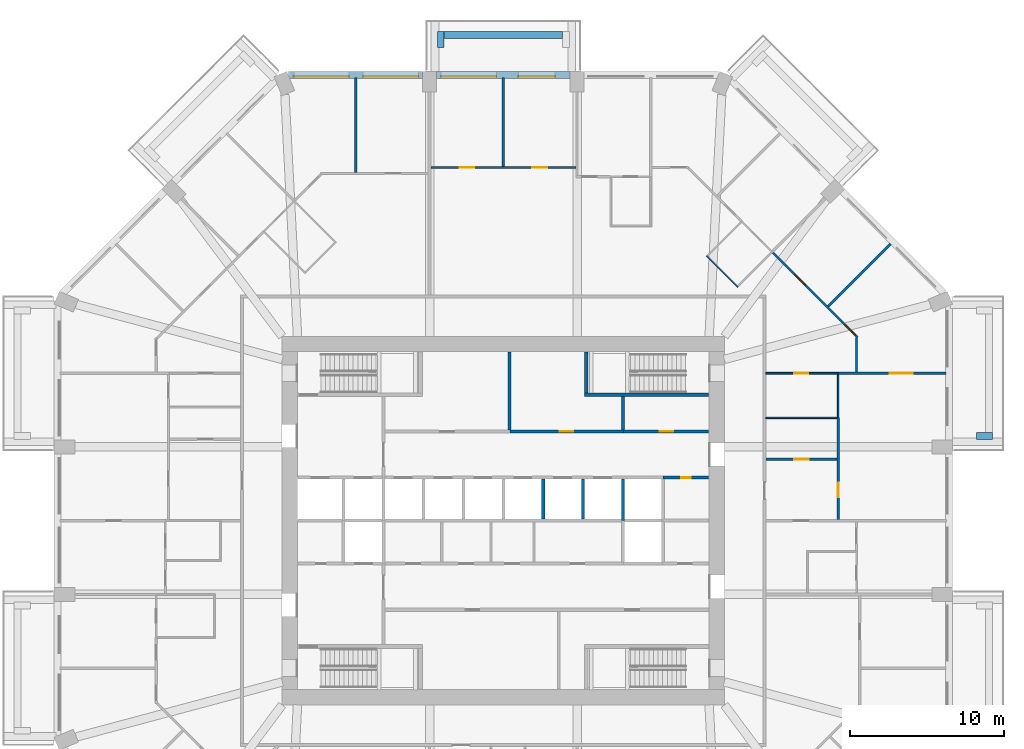
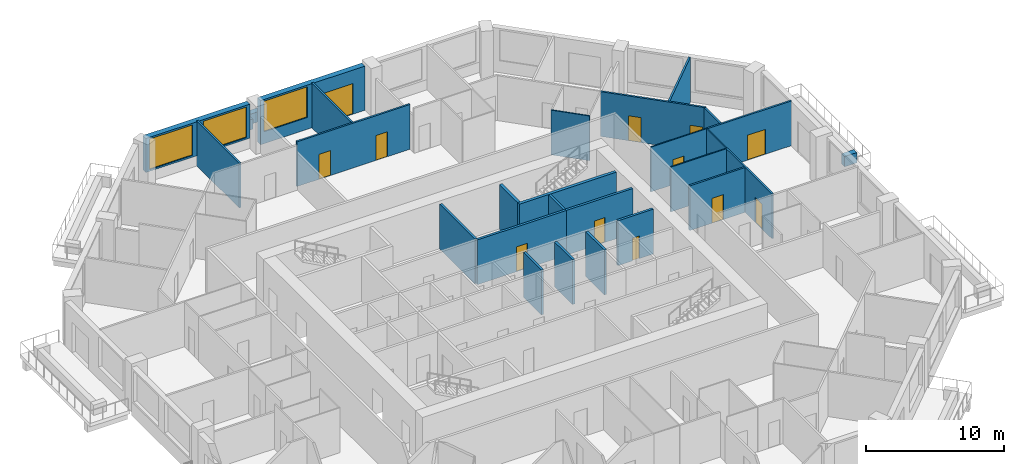
# One storey, part 9 of 13: 28 walls, 12 doors, 3 windows, 15 openings.
"""IFC4 building model written with IfcOpenShell, lengths in metres."""

from ifc_helpers import new_model, si_unit, direction, frame, frame_2d, origin, place, context, subcontext, project, spatial, rectangle, extrude, material, layer, layer_set, type_object, element, fill, save


model = new_model("IFC4")

# Units and contexts
model_context = context("Model", 3, precision=1e-05, world=origin(), true_north=direction((0.0, 1.0)))
body_context = subcontext(model_context, "Body", "Model", "MODEL_VIEW")
ifc_project = project(units=[si_unit("LENGTHUNIT", "METRE"), si_unit("AREAUNIT", "SQUARE_METRE"), si_unit("VOLUMEUNIT", "CUBIC_METRE"), si_unit("PLANEANGLEUNIT", "RADIAN"), si_unit("MASSUNIT", "GRAM", prefix="KILO")], contexts=[model_context])

# Site, building, storey
site_placement = place(None, origin())
site = spatial("IfcSite", under=ifc_project, at=site_placement, CompositionType="ELEMENT")
building_placement = place(site_placement, origin())
building = spatial("IfcBuilding", under=site, at=building_placement, Name="Msitu Wima Residences", CompositionType="ELEMENT")
storey_placement = place(building_placement, frame((0.0, 0.0, 67.5)))
storey = spatial("IfcBuildingStorey", under=building, at=storey_placement, Name="L15", CompositionType="ELEMENT", Elevation=67.5)

# Walls
ifc_material_1 = material(Name="Facing brick")
ifc_layer_1 = layer(ifc_material_1, 0.06494140625, Name="Facing brick")
ifc_material_2 = material(Name="Concrete C40/50", Category="concrete")
ifc_layer_2 = layer(ifc_material_2, 0.156005859375, Name="Concrete C40/50")
ifc_material_3 = material(Name="Waterproofing membrane")
ifc_layer_3 = layer(ifc_material_3, 0.00390625, Name="Waterproofing membrane")
ifc_material_4 = material(Name="Planting soil and planting")
ifc_layer_4 = layer(ifc_material_4, 0.22509765625, Name="Planting soil and planting")
ifc_layer_set_1 = layer_set([ifc_layer_1, ifc_layer_2, ifc_layer_3, ifc_layer_4], Name="Concrete C40/50")
wall_type_1 = type_object("IfcWallType", Name="Balcony planter PLANTER PL450", PredefinedType="USERDEFINED", material=ifc_layer_set_1)
wall_1_placement = place(storey_placement, frame((30.800048828125, 5.52490234375, 0.0), z_axis=(0.0, 0.0, 1.0), x_axis=(1.0, 0.0, 0.0)))
element("IfcWall", 1, at=wall_1_placement, inside=storey, type_object=wall_type_1, Name="Balcony planter E2 L15", ObjectType="PLANTER", PredefinedType="USERDEFINED", context=body_context, shape_type="SweptSolid", body=[
    extrude(rectangle(XDim=1.050048828125, YDim=0.449951171875, at=frame_2d((0.52490234375, 0.0))), origin(), (0.0, 0.0, 1.0), 0.89990234375),
])
wall_2_placement = place(storey_placement, frame((3.85009765625, 31.625, 0.0), z_axis=(0.0, 0.0, 1.0), x_axis=(-1.0, 0.0, 0.0)))
element("IfcWall", 2, at=wall_2_placement, inside=storey, type_object=wall_type_1, Name="Balcony planter N1 L15", ObjectType="PLANTER", PredefinedType="USERDEFINED", context=body_context, shape_type="SweptSolid", body=[
    extrude(rectangle(XDim=7.7001953125, YDim=0.449951171875, at=frame_2d((3.85009765625, 0.0))), origin(), (0.0, 0.0, 1.0), 0.89990234375),
])
wall_3_placement = place(storey_placement, frame((-4.074951171875, 30.800048828125, 0.0), z_axis=(0.0, 0.0, 1.0), x_axis=(0.0, 1.0, 0.0)))
element("IfcWall", 3, at=wall_3_placement, inside=storey, type_object=wall_type_1, Name="Balcony planter N1 L15", ObjectType="PLANTER", PredefinedType="USERDEFINED", context=body_context, shape_type="SweptSolid", body=[
    extrude(rectangle(XDim=1.050048828125, YDim=0.449951171875, at=frame_2d((0.52490234375, 0.0))), origin(), (0.0, 0.0, 1.0), 0.89990234375),
])

# Wall, openings, door, window
ifc_material_5 = material(Name="Brick (red buff mix)", Category="masonry")
ifc_layer_5 = layer(ifc_material_5, 0.449951171875)
ifc_layer_set_2 = layer_set([ifc_layer_5], Name="Brick (red buff mix)")
wall_type_2 = type_object("IfcWallType", Name="Brick infill wall BW450", PredefinedType="SOLIDWALL", material=ifc_layer_set_2)
wall_4_placement = place(storey_placement, frame((4.35009765625, 29.02490234375, 0.0), z_axis=(0.0, 0.0, 1.0), x_axis=(-1.0, 0.0, 0.0)))
wall_4 = element("IfcWall", 4, at=wall_4_placement, inside=storey, type_object=wall_type_2, Name="Brick infill wall L15 N1", PredefinedType="SOLIDWALL", context=body_context, shape_type="SweptSolid", body=[
    extrude(rectangle(XDim=8.7001953125, YDim=0.449951171875, at=frame_2d((4.35009765625, 0.0))), origin(), (0.0, 0.0, 1.0), 3.89990234375),
])
opening_1_placement = place(wall_4_placement, frame((0.97509765625, 0.0, 0.0)))
opening_1 = element("IfcOpeningElement", 5, at=opening_1_placement, cuts=wall_4, Name="Opening D13-15.003", PredefinedType="OPENING", context=body_context, shape_type="SweptSolid", body=[
    extrude(rectangle(XDim=2.39990234375, YDim=2.699951171875, at=frame_2d((1.199951171875, 1.35009765625))), frame((0.0, 0.23486328125, 0.0), z_axis=(0.0, -1.0, 0.0), x_axis=(1.0, 0.0, 0.0)), (0.0, 0.0, 1.0), 0.469970703125),
])
opening_2_placement = place(wall_4_placement, frame((4.800048828125, 0.0, 1.050048828125)))
opening_2 = element("IfcOpeningElement", 6, at=opening_2_placement, cuts=wall_4, Name="Opening W13-15.007", PredefinedType="OPENING", context=body_context, shape_type="SweptSolid", body=[
    extrude(rectangle(XDim=3.60009765625, YDim=2.699951171875, at=frame_2d((1.800048828125, 1.35009765625))), frame((0.0, 0.23486328125, 0.0), z_axis=(0.0, -1.0, 0.0), x_axis=(1.0, 0.0, 0.0)), (0.0, 0.0, 1.0), 0.469970703125),
])
ifc_material_6 = material(Name="Anodised aluminium, bronze finish, clear low-emissivity double glazing", Category="aluminium")
door_type_1 = type_object("IfcDoorType", Name="Balcony door D2400x2700", OperationType="SLIDING_TO_LEFT", PredefinedType="DOOR", material=ifc_material_6)
door_1_placement = place(opening_1_placement, origin())
door_1 = element("IfcDoor", 7, at=door_1_placement, inside=storey, type_object=door_type_1, Name="Balcony door L15 N1", OperationType="SINGLE_SWING_LEFT", OverallHeight=2.699951171875, OverallWidth=2.39990234375, PredefinedType="DOOR", context=body_context, shape_type="SweptSolid", body=[
    extrude(rectangle(XDim=2.39990234375, YDim=2.699951171875, at=frame_2d((1.199951171875, 1.35009765625))), frame((0.0, 0.1298828125, 0.0), z_axis=(0.0, -1.0, 0.0), x_axis=(1.0, 0.0, 0.0)), (0.0, 0.0, 1.0), 0.050048828125),
])
fill(opening_1, door_1)
window_type = type_object("IfcWindowType", Name="Window W3600x2700", PartitioningType="DOUBLE_PANEL_VERTICAL", PredefinedType="WINDOW", material=ifc_material_6)
window_1_placement = place(opening_2_placement, origin())
window_1 = element("IfcWindow", 8, at=window_1_placement, inside=storey, type_object=window_type, Name="Window L15 N1.2", OverallHeight=2.699951171875, OverallWidth=3.60009765625, PartitioningType="SINGLE_PANEL", PredefinedType="WINDOW", context=body_context, shape_type="SweptSolid", body=[
    extrude(rectangle(XDim=3.60009765625, YDim=2.699951171875, at=frame_2d((1.800048828125, 1.35009765625))), frame((0.0, 0.135009765625, 0.0), z_axis=(0.0, -1.0, 0.0), x_axis=(1.0, 0.0, 0.0)), (0.0, 0.0, 1.0), 0.06005859375),
])
fill(opening_2, window_1)

# Wall, openings, windows
wall_5_placement = place(storey_placement, frame((-5.25, 29.02490234375, 0.89990234375), z_axis=(0.0, 0.0, 1.0), x_axis=(-1.0, 0.0, 0.0)))
wall_5 = element("IfcWall", 9, at=wall_5_placement, inside=storey, type_object=wall_type_2, Name="Brick infill wall L15 N2", PredefinedType="SOLIDWALL", context=body_context, shape_type="SweptSolid", body=[
    extrude(rectangle(XDim=8.662841796875, YDim=0.449951171875, at=frame_2d((4.33154296875, 0.0))), origin(), (0.0, 0.0, 1.0), 3.0),
])
opening_3_placement = place(wall_5_placement, frame((0.281494140625, 0.0, 0.14990234375)))
opening_3 = element("IfcOpeningElement", 10, at=opening_3_placement, cuts=wall_5, Name="Opening W13-15.008", PredefinedType="OPENING", context=body_context, shape_type="SweptSolid", body=[
    extrude(rectangle(XDim=3.60009765625, YDim=2.699951171875, at=frame_2d((1.800048828125, 1.35009765625))), frame((0.0, 0.23486328125, 0.0), z_axis=(0.0, -1.0, 0.0), x_axis=(1.0, 0.0, 0.0)), (0.0, 0.0, 1.0), 0.469970703125),
])
opening_4_placement = place(wall_5_placement, frame((4.781494140625, 0.0, 0.14990234375)))
opening_4 = element("IfcOpeningElement", 11, at=opening_4_placement, cuts=wall_5, Name="Opening W13-15.009", PredefinedType="OPENING", context=body_context, shape_type="SweptSolid", body=[
    extrude(rectangle(XDim=3.60009765625, YDim=2.699951171875, at=frame_2d((1.800048828125, 1.35009765625))), frame((0.0, 0.23486328125, 0.0), z_axis=(0.0, -1.0, 0.0), x_axis=(1.0, 0.0, 0.0)), (0.0, 0.0, 1.0), 0.469970703125),
])
window_2_placement = place(opening_3_placement, origin())
window_2 = element("IfcWindow", 12, at=window_2_placement, inside=storey, type_object=window_type, Name="Window L15 N2.1", OverallHeight=2.699951171875, OverallWidth=3.60009765625, PartitioningType="SINGLE_PANEL", PredefinedType="WINDOW", context=body_context, shape_type="SweptSolid", body=[
    extrude(rectangle(XDim=3.60009765625, YDim=2.699951171875, at=frame_2d((1.800048828125, 1.35009765625))), frame((0.0, 0.135009765625, 0.0), z_axis=(0.0, -1.0, 0.0), x_axis=(1.0, 0.0, 0.0)), (0.0, 0.0, 1.0), 0.06005859375),
])
fill(opening_3, window_2)
window_3_placement = place(opening_4_placement, origin())
window_3 = element("IfcWindow", 13, at=window_3_placement, inside=storey, type_object=window_type, Name="Window L15 N2.2", OverallHeight=2.699951171875, OverallWidth=3.60009765625, PartitioningType="SINGLE_PANEL", PredefinedType="WINDOW", context=body_context, shape_type="SweptSolid", body=[
    extrude(rectangle(XDim=3.60009765625, YDim=2.699951171875, at=frame_2d((1.800048828125, 1.35009765625))), frame((0.0, 0.135009765625, 0.0), z_axis=(0.0, -1.0, 0.0), x_axis=(1.0, 0.0, 0.0)), (0.0, 0.0, 1.0), 0.06005859375),
])
fill(opening_4, window_3)

# Wall, opening, door
ifc_material_7 = material(Name="Plaster")
ifc_layer_6 = layer(ifc_material_7, 0.011962890625, Name="Plaster")
ifc_material_8 = material(Name="Concrete blockwork", Category="masonry")
ifc_layer_7 = layer(ifc_material_8, 0.176025390625, Name="Concrete blockwork")
ifc_layer_8 = layer(ifc_material_7, 0.011962890625, Name="Plaster")
ifc_layer_set_3 = layer_set([ifc_layer_6, ifc_layer_7, ifc_layer_8], Name="Concrete blockwork")
wall_type_3 = type_object("IfcWallType", Name="Corridor wall FW200", PredefinedType="PARTITIONING", material=ifc_layer_set_3)
wall_6_placement = place(storey_placement, frame((7.820068359375, 5.800048828125, 0.0), z_axis=(0.0, 0.0, 1.0), x_axis=(1.0, 0.0, 0.0)))
wall_6 = element("IfcWall", 14, at=wall_6_placement, inside=storey, type_object=wall_type_3, Name="Corridor wall", PredefinedType="PARTITIONING", context=body_context, shape_type="SweptSolid", body=[
    extrude(rectangle(XDim=5.550048828125, YDim=0.199951171875, at=frame_2d((2.77490234375, 0.0))), origin(), (0.0, 0.0, 1.0), 3.949951171875),
])
opening_5_placement = place(wall_6_placement, frame((2.35009765625, 0.0, 0.0)))
opening_5 = element("IfcOpeningElement", 15, at=opening_5_placement, cuts=wall_6, Name="Opening D13-15.021", PredefinedType="OPENING", context=body_context, shape_type="SweptSolid", body=[
    extrude(rectangle(XDim=0.89990234375, YDim=2.199951171875, at=frame_2d((0.449951171875, 1.10009765625))), frame((0.0, 0.10986328125, 0.0), z_axis=(0.0, -1.0, 0.0), x_axis=(1.0, 0.0, 0.0)), (0.0, 0.0, 1.0), 0.219970703125),
])
ifc_material_9 = material(Name="Timber flush door", Category="wood")
door_type_2 = type_object("IfcDoorType", Name="Service door D05 900x2200", OperationType="SINGLE_SWING_LEFT", PredefinedType="DOOR", material=ifc_material_9)
door_2_placement = place(opening_5_placement, origin())
door_2 = element("IfcDoor", 16, at=door_2_placement, inside=storey, type_object=door_type_2, Name="Service door", OperationType="SINGLE_SWING_LEFT", OverallHeight=2.199951171875, OverallWidth=0.89990234375, PredefinedType="DOOR", context=body_context, shape_type="SweptSolid", body=[
    extrude(rectangle(XDim=0.89990234375, YDim=2.199951171875, at=frame_2d((0.449951171875, 1.10009765625))), frame((0.0, 0.02490234375, 0.0), z_axis=(0.0, -1.0, 0.0), x_axis=(1.0, 0.0, 0.0)), (0.0, 0.0, 1.0), 0.050048828125),
])
fill(opening_5, door_2)

# Wall
ifc_layer_9 = layer(ifc_material_7, 0.011962890625, Name="Plaster")
ifc_layer_10 = layer(ifc_material_8, 0.1259765625, Name="Concrete blockwork")
ifc_layer_11 = layer(ifc_material_7, 0.011962890625, Name="Plaster")
ifc_layer_set_4 = layer_set([ifc_layer_9, ifc_layer_10, ifc_layer_11], Name="Concrete blockwork")
wall_type_4 = type_object("IfcWallType", Name="Partition PW150", PredefinedType="PARTITIONING", material=ifc_layer_set_4)
wall_7_placement = place(storey_placement, frame((-9.60009765625, 22.675048828125, 0.0), z_axis=(0.0, 0.0, 1.0), x_axis=(0.0, 1.0, 0.0)))
element("IfcWall", 17, at=wall_7_placement, inside=storey, type_object=wall_type_4, Name="Partition", PredefinedType="PARTITIONING", context=body_context, shape_type="SweptSolid", body=[
    extrude(rectangle(XDim=6.179931640625, YDim=0.14990234375, at=frame_2d((3.08984375, 0.0))), origin(), (0.0, 0.0, 1.0), 3.949951171875),
])

# Wall, openings, doors
wall_8_placement = place(storey_placement, frame((-4.699951171875, 23.0, 0.0), z_axis=(0.0, 0.0, 1.0), x_axis=(1.0, 0.0, 0.0)))
wall_8 = element("IfcWall", 18, at=wall_8_placement, inside=storey, type_object=wall_type_4, Name="Partition", PredefinedType="PARTITIONING", context=body_context, shape_type="SweptSolid", body=[
    extrude(rectangle(XDim=9.425048828125, YDim=0.14990234375, at=frame_2d((4.71240234375, 0.0))), origin(), (0.0, 0.0, 1.0), 3.949951171875),
])
opening_6_placement = place(wall_8_placement, frame((6.60009765625, 0.0, 0.0)))
opening_6 = element("IfcOpeningElement", 19, at=opening_6_placement, cuts=wall_8, Name="Opening D13-15.088", PredefinedType="OPENING", context=body_context, shape_type="SweptSolid", body=[
    extrude(rectangle(XDim=0.949951171875, YDim=2.199951171875, at=frame_2d((0.47509765625, 1.10009765625))), frame((0.0, 0.0849609375, 0.0), z_axis=(0.0, -1.0, 0.0), x_axis=(1.0, 0.0, 0.0)), (0.0, 0.0, 1.0), 0.169921875),
])
opening_7_placement = place(wall_8_placement, frame((1.85009765625, 0.0, 0.0)))
opening_7 = element("IfcOpeningElement", 20, at=opening_7_placement, cuts=wall_8, Name="Opening D13-15.044", PredefinedType="OPENING", context=body_context, shape_type="SweptSolid", body=[
    extrude(rectangle(XDim=0.949951171875, YDim=2.199951171875, at=frame_2d((0.47509765625, 1.10009765625))), frame((0.0, 0.0849609375, 0.0), z_axis=(0.0, -1.0, 0.0), x_axis=(1.0, 0.0, 0.0)), (0.0, 0.0, 1.0), 0.169921875),
])
door_type_3 = type_object("IfcDoorType", Name="Room door D12 950x2200", OperationType="SINGLE_SWING_LEFT", PredefinedType="DOOR", material=ifc_material_9)
door_3_placement = place(opening_6_placement, origin())
door_3 = element("IfcDoor", 21, at=door_3_placement, inside=storey, type_object=door_type_3, Name="Room door", OperationType="SINGLE_SWING_LEFT", OverallHeight=2.199951171875, OverallWidth=0.949951171875, PredefinedType="DOOR", context=body_context, shape_type="SweptSolid", body=[
    extrude(rectangle(XDim=0.949951171875, YDim=2.199951171875, at=frame_2d((0.47509765625, 1.10009765625))), frame((0.0, 0.02490234375, 0.0), z_axis=(0.0, -1.0, 0.0), x_axis=(1.0, 0.0, 0.0)), (0.0, 0.0, 1.0), 0.050048828125),
])
fill(opening_6, door_3)
door_4_placement = place(opening_7_placement, origin())
door_4 = element("IfcDoor", 22, at=door_4_placement, inside=storey, type_object=door_type_3, Name="Room door", OperationType="SINGLE_SWING_RIGHT", OverallHeight=2.199951171875, OverallWidth=0.949951171875, PredefinedType="DOOR", context=body_context, shape_type="SweptSolid", body=[
    extrude(rectangle(XDim=0.949951171875, YDim=2.199951171875, at=frame_2d((0.47509765625, 1.10009765625))), frame((0.0, 0.02490234375, 0.0), z_axis=(0.0, -1.0, 0.0), x_axis=(1.0, 0.0, 0.0)), (0.0, 0.0, 1.0), 0.050048828125),
])
fill(opening_7, door_4)

# Wall
wall_9_placement = place(storey_placement, frame((0.0, 23.074951171875, 0.0), z_axis=(0.0, 0.0, 1.0), x_axis=(0.0, 1.0, 0.0)))
element("IfcWall", 23, at=wall_9_placement, inside=storey, type_object=wall_type_4, Name="Partition", PredefinedType="PARTITIONING", context=body_context, shape_type="SweptSolid", body=[
    extrude(rectangle(XDim=5.780029296875, YDim=0.14990234375, at=frame_2d((2.89013671875, 0.0))), origin(), (0.0, 0.0, 1.0), 3.949951171875),
])

# Wall, opening, door
wall_10_placement = place(storey_placement, frame((17.10009765625, 4.0, 0.0), z_axis=(0.0, 0.0, 1.0), x_axis=(1.0, 0.0, 0.0)))
wall_10 = element("IfcWall", 24, at=wall_10_placement, inside=storey, type_object=wall_type_4, Name="Partition", PredefinedType="PARTITIONING", context=body_context, shape_type="SweptSolid", body=[
    extrude(rectangle(XDim=4.625, YDim=0.14990234375, at=frame_2d((2.3125, 0.0))), origin(), (0.0, 0.0, 1.0), 3.949951171875),
])
opening_8_placement = place(wall_10_placement, frame((1.85009765625, 0.0, 0.0)))
opening_8 = element("IfcOpeningElement", 25, at=opening_8_placement, cuts=wall_10, Name="Opening D13-15.085", PredefinedType="OPENING", context=body_context, shape_type="SweptSolid", body=[
    extrude(rectangle(XDim=0.949951171875, YDim=2.199951171875, at=frame_2d((0.47509765625, 1.10009765625))), frame((0.0, 0.0849609375, 0.0), z_axis=(0.0, -1.0, 0.0), x_axis=(1.0, 0.0, 0.0)), (0.0, 0.0, 1.0), 0.169921875),
])
door_5_placement = place(opening_8_placement, origin())
door_5 = element("IfcDoor", 26, at=door_5_placement, inside=storey, type_object=door_type_3, Name="Room door", OperationType="SINGLE_SWING_RIGHT", OverallHeight=2.199951171875, OverallWidth=0.949951171875, PredefinedType="DOOR", context=body_context, shape_type="SweptSolid", body=[
    extrude(rectangle(XDim=0.949951171875, YDim=2.199951171875, at=frame_2d((0.47509765625, 1.10009765625))), frame((0.0, 0.02490234375, 0.0), z_axis=(0.0, -1.0, 0.0), x_axis=(1.0, 0.0, 0.0)), (0.0, 0.0, 1.0), 0.050048828125),
])
fill(opening_8, door_5)

# Wall, openings, doors
wall_11_placement = place(storey_placement, frame((17.498779296875, 17.498779296875, 0.0), z_axis=(0.0, 0.0, 1.0), x_axis=(0.707106781187, -0.707106781187, 0.0)))
wall_11 = element("IfcWall", 27, at=wall_11_placement, inside=storey, type_object=wall_type_4, Name="Partition", PredefinedType="PARTITIONING", context=body_context, shape_type="SweptSolid", body=[
    extrude(rectangle(XDim=7.854736328125, YDim=0.14990234375, at=frame_2d((3.92724609375, 0.0))), origin(), (0.0, 0.0, 1.0), 3.949951171875),
])
opening_9_placement = place(wall_11_placement, frame((6.699951171875, 0.0, 0.0)))
opening_9 = element("IfcOpeningElement", 28, at=opening_9_placement, cuts=wall_11, Name="Opening D13-15.086", PredefinedType="OPENING", context=body_context, shape_type="SweptSolid", body=[
    extrude(rectangle(XDim=0.949951171875, YDim=2.199951171875, at=frame_2d((0.47509765625, 1.10009765625))), frame((0.0, 0.0849609375, 0.0), z_axis=(0.0, -1.0, 0.0), x_axis=(1.0, 0.0, 0.0)), (0.0, 0.0, 1.0), 0.169921875),
])
opening_10_placement = place(wall_11_placement, frame((2.10009765625, 0.0, 0.0)))
opening_10 = element("IfcOpeningElement", 29, at=opening_10_placement, cuts=wall_11, Name="Opening D13-15.087", PredefinedType="OPENING", context=body_context, shape_type="SweptSolid", body=[
    extrude(rectangle(XDim=0.949951171875, YDim=2.199951171875, at=frame_2d((0.47509765625, 1.10009765625))), frame((0.0, 0.0849609375, 0.0), z_axis=(0.0, -1.0, 0.0), x_axis=(1.0, 0.0, 0.0)), (0.0, 0.0, 1.0), 0.169921875),
])
door_6_placement = place(opening_9_placement, origin())
door_6 = element("IfcDoor", 30, at=door_6_placement, inside=storey, type_object=door_type_3, Name="Room door", OperationType="SINGLE_SWING_LEFT", OverallHeight=2.199951171875, OverallWidth=0.949951171875, PredefinedType="DOOR", context=body_context, shape_type="SweptSolid", body=[
    extrude(rectangle(XDim=0.949951171875, YDim=2.199951171875, at=frame_2d((0.47509765625, 1.10009765625))), frame((0.0, 0.02490234375, 0.0), z_axis=(0.0, -1.0, 0.0), x_axis=(1.0, 0.0, 0.0)), (0.0, 0.0, 1.0), 0.050048828125),
])
fill(opening_9, door_6)
door_7_placement = place(opening_10_placement, origin())
door_7 = element("IfcDoor", 31, at=door_7_placement, inside=storey, type_object=door_type_3, Name="Room door", OperationType="SINGLE_SWING_RIGHT", OverallHeight=2.199951171875, OverallWidth=0.949951171875, PredefinedType="DOOR", context=body_context, shape_type="SweptSolid", body=[
    extrude(rectangle(XDim=0.949951171875, YDim=2.199951171875, at=frame_2d((0.47509765625, 1.10009765625))), frame((0.0, 0.02490234375, 0.0), z_axis=(0.0, -1.0, 0.0), x_axis=(1.0, 0.0, 0.0)), (0.0, 0.0, 1.0), 0.050048828125),
])
fill(opening_10, door_7)

# Wall
wall_12_placement = place(storey_placement, frame((21.15185546875, 13.951904296875, 0.0), z_axis=(0.0, 0.0, 1.0), x_axis=(0.707128010843, 0.707085550893, 0.0)))
element("IfcWall", 32, at=wall_12_placement, inside=storey, type_object=wall_type_4, Name="Partition", PredefinedType="PARTITIONING", context=body_context, shape_type="SweptSolid", body=[
    extrude(rectangle(XDim=5.75, YDim=0.14990234375, at=frame_2d((2.875, 0.0))), origin(), (0.0, 0.0, 1.0), 3.949951171875),
])

# Wall, opening, door
wall_13_placement = place(storey_placement, frame((21.800048828125, 0.074951171875, 0.0), z_axis=(0.0, 0.0, 1.0), x_axis=(0.0, 1.0, 0.0)))
wall_13 = element("IfcWall", 33, at=wall_13_placement, inside=storey, type_object=wall_type_4, Name="Partition", PredefinedType="PARTITIONING", context=body_context, shape_type="SweptSolid", body=[
    extrude(rectangle(XDim=6.64501953125, YDim=0.14990234375, at=frame_2d((3.322509765625, 0.0))), origin(), (0.0, 0.0, 1.0), 3.949951171875),
])
opening_11_placement = place(wall_13_placement, frame((1.449951171875, 0.0, 0.0)))
opening_11 = element("IfcOpeningElement", 34, at=opening_11_placement, cuts=wall_13, Name="Opening D13-15.049", PredefinedType="OPENING", context=body_context, shape_type="SweptSolid", body=[
    extrude(rectangle(XDim=0.949951171875, YDim=2.199951171875, at=frame_2d((0.47509765625, 1.10009765625))), frame((0.0, 0.0849609375, 0.0), z_axis=(0.0, -1.0, 0.0), x_axis=(1.0, 0.0, 0.0)), (0.0, 0.0, 1.0), 0.169921875),
])
door_8_placement = place(opening_11_placement, origin())
door_8 = element("IfcDoor", 35, at=door_8_placement, inside=storey, type_object=door_type_3, Name="Room door", OperationType="SINGLE_SWING_RIGHT", OverallHeight=2.199951171875, OverallWidth=0.949951171875, PredefinedType="DOOR", context=body_context, shape_type="SweptSolid", body=[
    extrude(rectangle(XDim=0.949951171875, YDim=2.199951171875, at=frame_2d((0.47509765625, 1.10009765625))), frame((0.0, 0.02490234375, 0.0), z_axis=(0.0, -1.0, 0.0), x_axis=(1.0, 0.0, 0.0)), (0.0, 0.0, 1.0), 0.050048828125),
])
fill(opening_11, door_8)

wall_14_placement = place(storey_placement, frame((21.800048828125, 9.60009765625, 0.0), z_axis=(0.0, 0.0, 1.0), x_axis=(1.0, 0.0, 0.0)))
wall_14 = element("IfcWall", 36, at=wall_14_placement, inside=storey, type_object=wall_type_4, Name="Partition", PredefinedType="PARTITIONING", context=body_context, shape_type="SweptSolid", body=[
    extrude(rectangle(XDim=7.02490234375, YDim=0.14990234375, at=frame_2d((3.512451171875, 0.0))), origin(), (0.0, 0.0, 1.0), 3.949951171875),
])
opening_12_placement = place(wall_14_placement, frame((3.35009765625, 0.0, 0.0)))
opening_12 = element("IfcOpeningElement", 37, at=opening_12_placement, cuts=wall_14, Name="Opening D13-15.060", PredefinedType="OPENING", context=body_context, shape_type="SweptSolid", body=[
    extrude(rectangle(XDim=1.5, YDim=2.199951171875, at=frame_2d((0.75, 1.10009765625))), frame((0.0, 0.0849609375, 0.0), z_axis=(0.0, -1.0, 0.0), x_axis=(1.0, 0.0, 0.0)), (0.0, 0.0, 1.0), 0.169921875),
])
ifc_material_10 = material(Name="Timber double door", Category="wood")
door_type_4 = type_object("IfcDoorType", Name="Double door D04 1500x2200", OperationType="DOUBLE_DOOR_SINGLE_SWING", PredefinedType="DOOR", material=ifc_material_10)
door_9_placement = place(opening_12_placement, origin())
door_9 = element("IfcDoor", 38, at=door_9_placement, inside=storey, type_object=door_type_4, Name="Double door", OperationType="DOUBLE_DOOR_SINGLE_SWING", OverallHeight=2.199951171875, OverallWidth=1.5, PredefinedType="DOOR", context=body_context, shape_type="SweptSolid", body=[
    extrude(rectangle(XDim=1.5, YDim=2.199951171875, at=frame_2d((0.75, 1.10009765625))), frame((0.0, 0.02490234375, 0.0), z_axis=(0.0, -1.0, 0.0), x_axis=(1.0, 0.0, 0.0)), (0.0, 0.0, 1.0), 0.050048828125),
])
fill(opening_12, door_9)

# Wall
wall_15_placement = place(storey_placement, frame((23.0, 9.675048828125, 0.0), z_axis=(0.0, 0.0, 1.0), x_axis=(0.0, 1.0, 0.0)))
element("IfcWall", 39, at=wall_15_placement, inside=storey, type_object=wall_type_4, Name="Partition", PredefinedType="PARTITIONING", context=body_context, shape_type="SweptSolid", body=[
    extrude(rectangle(XDim=2.24755859375, YDim=0.14990234375, at=frame_2d((1.123779296875, 0.0))), origin(), (0.0, 0.0, 1.0), 3.949951171875),
])

# Wall, opening, door
ifc_layer_12 = layer(ifc_material_7, 0.011962890625, Name="Plaster")
ifc_material_11 = material(Name="Reinforced concrete blockwork", Category="masonry")
ifc_layer_13 = layer(ifc_material_11, 0.176025390625, Name="Reinforced concrete blockwork")
ifc_layer_14 = layer(ifc_material_7, 0.011962890625, Name="Plaster")
ifc_layer_set_5 = layer_set([ifc_layer_12, ifc_layer_13, ifc_layer_14], Name="Reinforced concrete blockwork")
wall_type_5 = type_object("IfcWallType", Name="Plant and riser wall PL200", PredefinedType="PARTITIONING", material=ifc_layer_set_5)
wall_16_placement = place(storey_placement, frame((0.419921875, 5.800048828125, 0.0), z_axis=(0.0, 0.0, 1.0), x_axis=(1.0, 0.0, 0.0)))
wall_16 = element("IfcWall", 40, at=wall_16_placement, inside=storey, type_object=wall_type_5, Name="Plant and riser wall", PredefinedType="PARTITIONING", context=body_context, shape_type="SweptSolid", body=[
    extrude(rectangle(XDim=7.400146484375, YDim=0.199951171875, at=frame_2d((3.7001953125, 0.0))), origin(), (0.0, 0.0, 1.0), 3.949951171875),
])
opening_13_placement = place(wall_16_placement, frame((3.25, 0.0, 0.0)))
opening_13 = element("IfcOpeningElement", 41, at=opening_13_placement, cuts=wall_16, Name="Opening D13-15.020", PredefinedType="OPENING", context=body_context, shape_type="SweptSolid", body=[
    extrude(rectangle(XDim=0.89990234375, YDim=2.199951171875, at=frame_2d((0.449951171875, 1.10009765625))), frame((0.0, 0.10986328125, 0.0), z_axis=(0.0, -1.0, 0.0), x_axis=(1.0, 0.0, 0.0)), (0.0, 0.0, 1.0), 0.219970703125),
])
door_10_placement = place(opening_13_placement, origin())
door_10 = element("IfcDoor", 42, at=door_10_placement, inside=storey, type_object=door_type_2, Name="Service door", OperationType="SINGLE_SWING_RIGHT", OverallHeight=2.199951171875, OverallWidth=0.89990234375, PredefinedType="DOOR", context=body_context, shape_type="SweptSolid", body=[
    extrude(rectangle(XDim=0.89990234375, YDim=2.199951171875, at=frame_2d((0.449951171875, 1.10009765625))), frame((0.0, 0.02490234375, 0.0), z_axis=(0.0, -1.0, 0.0), x_axis=(1.0, 0.0, 0.0)), (0.0, 0.0, 1.0), 0.050048828125),
])
fill(opening_13, door_10)

# Walls
wall_17_placement = place(storey_placement, frame((0.39990234375, 5.89990234375, 0.0), z_axis=(0.0, 0.0, 1.0), x_axis=(0.0, 1.0, 0.0)))
element("IfcWall", 43, at=wall_17_placement, inside=storey, type_object=wall_type_5, Name="Plant and riser wall", PredefinedType="PARTITIONING", context=body_context, shape_type="SweptSolid", body=[
    extrude(rectangle(XDim=5.070068359375, YDim=0.199951171875, at=frame_2d((2.53515625, 0.0))), origin(), (0.0, 0.0, 1.0), 3.949951171875),
])
wall_18_placement = place(storey_placement, frame((7.800048828125, 5.89990234375, 0.0), z_axis=(0.0, 0.0, 1.0), x_axis=(0.0, 1.0, 0.0)))
element("IfcWall", 44, at=wall_18_placement, inside=storey, type_object=wall_type_5, Name="Plant and riser wall", PredefinedType="PARTITIONING", context=body_context, shape_type="SweptSolid", body=[
    extrude(rectangle(XDim=2.175048828125, YDim=0.199951171875, at=frame_2d((1.08740234375, 0.0))), origin(), (0.0, 0.0, 1.0), 3.949951171875),
])

# Wall, opening, door
wall_19_placement = place(storey_placement, frame((10.39990234375, 2.800048828125, 0.0), z_axis=(0.0, 0.0, 1.0), x_axis=(1.0, 0.0, 0.0)))
wall_19 = element("IfcWall", 45, at=wall_19_placement, inside=storey, type_object=wall_type_5, Name="Plant and riser wall", PredefinedType="PARTITIONING", context=body_context, shape_type="SweptSolid", body=[
    extrude(rectangle(XDim=2.97021484375, YDim=0.199951171875, at=frame_2d((1.485107421875, 0.0))), origin(), (0.0, 0.0, 1.0), 3.949951171875),
])
opening_14_placement = place(wall_19_placement, frame((1.199951171875, 0.0, 0.0)))
opening_14 = element("IfcOpeningElement", 46, at=opening_14_placement, cuts=wall_19, Name="Opening D13-15.026", PredefinedType="OPENING", context=body_context, shape_type="SweptSolid", body=[
    extrude(rectangle(XDim=0.60009765625, YDim=2.0, at=frame_2d((0.300048828125, 1.0))), frame((0.0, 0.10986328125, 0.0), z_axis=(0.0, -1.0, 0.0), x_axis=(1.0, 0.0, 0.0)), (0.0, 0.0, 1.0), 0.219970703125),
])
ifc_material_12 = material(Name="Steel access door, fire resisting", Category="steel")
door_type_5 = type_object("IfcDoorType", Name="Riser access door D08 600x2000", OperationType="SINGLE_SWING_LEFT", PredefinedType="DOOR", material=ifc_material_12)
door_11_placement = place(opening_14_placement, origin())
door_11 = element("IfcDoor", 47, at=door_11_placement, inside=storey, type_object=door_type_5, Name="Riser access door", OperationType="SINGLE_SWING_RIGHT", OverallHeight=2.0, OverallWidth=0.60009765625, PredefinedType="DOOR", context=body_context, shape_type="SweptSolid", body=[
    extrude(rectangle(XDim=0.60009765625, YDim=2.0, at=frame_2d((0.300048828125, 1.0))), frame((0.0, 0.02490234375, 0.0), z_axis=(0.0, -1.0, 0.0), x_axis=(1.0, 0.0, 0.0)), (0.0, 0.0, 1.0), 0.050048828125),
])
fill(opening_14, door_11)

# Walls
ifc_material_13 = material(Name="Fire-rated board")
ifc_layer_15 = layer(ifc_material_13, 0.02490234375, Name="Fire-rated board")
ifc_material_14 = material(Name="Light-gauge stud framing with mineral wool")
ifc_layer_16 = layer(ifc_material_14, 0.14990234375, Name="Light-gauge stud framing with mineral wool")
ifc_layer_17 = layer(ifc_material_13, 0.02490234375, Name="Fire-rated board")
ifc_layer_set_6 = layer_set([ifc_layer_15, ifc_layer_16, ifc_layer_17], Name="Light-gauge stud framing with mineral wool")
wall_type_6 = type_object("IfcWallType", Name="Shaft wall SH200", PredefinedType="PARTITIONING", material=ifc_layer_set_6)
for number, where, z_axis, x_axis, name in (
    (48, (2.60009765625, 0.10009765625, 0.0), (0.0, 0.0, 1.0), (0.0, 1.0, 0.0), "Shaft wall"),
    (49, (5.199951171875, 0.10009765625, 0.0), (0.0, 0.0, 1.0), (0.0, 1.0, 0.0), "Shaft wall"),
):
    element("IfcWall", number, at=place(storey_placement, frame(where, z_axis=z_axis, x_axis=x_axis)), inside=storey, type_object=wall_type_6, Name=name, PredefinedType="PARTITIONING", context=body_context, shape_type="SweptSolid", body=[
        extrude(rectangle(XDim=2.599853515625, YDim=0.199951171875, at=frame_2d((1.2998046875, 0.0))), origin(), (0.0, 0.0, 1.0), 3.949951171875),
    ])
wall_20_placement = place(storey_placement, frame((7.800048828125, 0.0, 0.0), z_axis=(0.0, 0.0, 1.0), x_axis=(0.0, 1.0, 0.0)))
element("IfcWall", 50, at=wall_20_placement, inside=storey, type_object=wall_type_6, Name="Shaft wall", PredefinedType="PARTITIONING", context=body_context, shape_type="SweptSolid", body=[
    extrude(rectangle(XDim=2.699951171875, YDim=0.199951171875, at=frame_2d((1.35009765625, 0.0))), origin(), (0.0, 0.0, 1.0), 3.949951171875),
])
ifc_material_15 = material(Name="Concrete C50/60", Category="concrete")
ifc_layer_18 = layer(ifc_material_15, 0.25)
ifc_layer_set_7 = layer_set([ifc_layer_18], Name="Concrete C50/60")
wall_type_7 = type_object("IfcWallType", Name="Stair enclosure wall SW250", PredefinedType="SHEAR", material=ifc_layer_set_7)
wall_21_placement = place(storey_placement, frame((5.39990234375, 8.324951171875, 0.0), z_axis=(0.0, 0.0, 1.0), x_axis=(0.0, 1.0, 0.0)))
element("IfcWall", 51, at=wall_21_placement, inside=storey, type_object=wall_type_7, Name="Stair enclosure wall", PredefinedType="SHEAR", context=body_context, shape_type="SweptSolid", body=[
    extrude(rectangle(XDim=2.64501953125, YDim=0.25, at=frame_2d((1.322509765625, 0.0))), origin(), (0.0, 0.0, 1.0), 3.949951171875),
])
wall_22_placement = place(storey_placement, frame((5.27490234375, 8.199951171875, 0.0), z_axis=(0.0, 0.0, 1.0), x_axis=(1.0, 0.0, 0.0)))
element("IfcWall", 52, at=wall_22_placement, inside=storey, type_object=wall_type_7, Name="Stair enclosure wall", PredefinedType="SHEAR", context=body_context, shape_type="SweptSolid", body=[
    extrude(rectangle(XDim=8.09521484375, YDim=0.25, at=frame_2d((4.047607421875, 0.0))), origin(), (0.0, 0.0, 1.0), 3.949951171875),
])
ifc_material_16 = material(Name="Ceramic tiles")
ifc_layer_19 = layer(ifc_material_16, 0.008056640625, Name="Ceramic tiles")
ifc_material_17 = material(Name="Moisture-resistant board")
ifc_layer_20 = layer(ifc_material_17, 0.012451171875, Name="Moisture-resistant board")
ifc_layer_21 = layer(ifc_material_14, 0.06689453125, Name="Light-gauge stud framing with mineral wool")
ifc_layer_22 = layer(ifc_material_17, 0.012451171875, Name="Moisture-resistant board")
ifc_layer_set_8 = layer_set([ifc_layer_19, ifc_layer_20, ifc_layer_21, ifc_layer_22], Name="Light-gauge stud framing with mineral wool")
wall_type_8 = type_object("IfcWallType", Name="Wet wall PW100", PredefinedType="PARTITIONING", material=ifc_layer_set_8)
wall_23_placement = place(storey_placement, frame((13.220703125, 17.251220703125, 0.0), z_axis=(0.0, 0.0, 1.0), x_axis=(0.707148872128, -0.707064687739, 0.0)))
element("IfcWall", 53, at=wall_23_placement, inside=storey, type_object=wall_type_8, Name="Wet wall", PredefinedType="PARTITIONING", context=body_context, shape_type="SweptSolid", body=[
    extrude(rectangle(XDim=2.900146484375, YDim=0.10009765625, at=frame_2d((1.4501953125, 0.0))), origin(), (0.0, 0.0, 1.0), 3.949951171875),
])
wall_24_placement = place(storey_placement, frame((17.10009765625, 6.699951171875, 0.0), z_axis=(0.0, 0.0, 1.0), x_axis=(1.0, 0.0, 0.0)))
element("IfcWall", 54, at=wall_24_placement, inside=storey, type_object=wall_type_8, Name="Wet wall", PredefinedType="PARTITIONING", context=body_context, shape_type="SweptSolid", body=[
    extrude(rectangle(XDim=4.625, YDim=0.10009765625, at=frame_2d((2.3125, 0.0))), origin(), (0.0, 0.0, 1.0), 3.949951171875),
])

# Wall, opening, door
wall_25_placement = place(storey_placement, frame((17.10009765625, 9.60009765625, 0.0), z_axis=(0.0, 0.0, 1.0), x_axis=(1.0, 0.0, 0.0)))
wall_25 = element("IfcWall", 55, at=wall_25_placement, inside=storey, type_object=wall_type_8, Name="Wet wall", PredefinedType="PARTITIONING", context=body_context, shape_type="SweptSolid", body=[
    extrude(rectangle(XDim=4.699951171875, YDim=0.10009765625, at=frame_2d((2.35009765625, 0.0))), origin(), (0.0, 0.0, 1.0), 3.949951171875),
])
opening_15_placement = place(wall_25_placement, frame((1.85009765625, 0.0, 0.0)))
opening_15 = element("IfcOpeningElement", 56, at=opening_15_placement, cuts=wall_25, Name="Opening D13-15.043", PredefinedType="OPENING", context=body_context, shape_type="SweptSolid", body=[
    extrude(rectangle(XDim=0.89990234375, YDim=2.199951171875, at=frame_2d((0.449951171875, 1.10009765625))), frame((0.0, 0.06005859375, 0.0), z_axis=(0.0, -1.0, 0.0), x_axis=(1.0, 0.0, 0.0)), (0.0, 0.0, 1.0), 0.1201171875),
])
ifc_material_18 = material(Name="Timber flush door, moisture resistant", Category="wood")
door_type_6 = type_object("IfcDoorType", Name="Bathroom door D03 900x2200", OperationType="SINGLE_SWING_LEFT", PredefinedType="DOOR", material=ifc_material_18)
door_12_placement = place(opening_15_placement, origin())
door_12 = element("IfcDoor", 57, at=door_12_placement, inside=storey, type_object=door_type_6, Name="Bathroom door", OperationType="SINGLE_SWING_RIGHT", OverallHeight=2.199951171875, OverallWidth=0.89990234375, PredefinedType="DOOR", context=body_context, shape_type="SweptSolid", body=[
    extrude(rectangle(XDim=0.89990234375, YDim=2.199951171875, at=frame_2d((0.449951171875, 1.10009765625))), frame((0.0, 0.02490234375, 0.0), z_axis=(0.0, -1.0, 0.0), x_axis=(1.0, 0.0, 0.0)), (0.0, 0.0, 1.0), 0.050048828125),
])
fill(opening_15, door_12)

# Wall
wall_26_placement = place(storey_placement, frame((21.800048828125, 6.719970703125, 0.0), z_axis=(0.0, 0.0, 1.0), x_axis=(0.0, 1.0, 0.0)))
element("IfcWall", 58, at=wall_26_placement, inside=storey, type_object=wall_type_8, Name="Wet wall", PredefinedType="PARTITIONING", context=body_context, shape_type="SweptSolid", body=[
    extrude(rectangle(XDim=2.804931640625, YDim=0.10009765625, at=frame_2d((1.40234375, 0.0))), origin(), (0.0, 0.0, 1.0), 3.949951171875),
])

save(model, "model.ifc")
